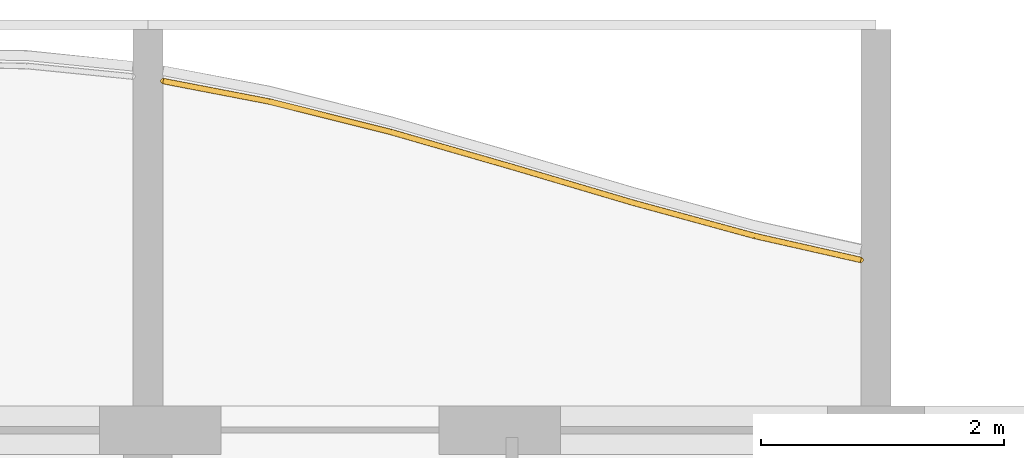
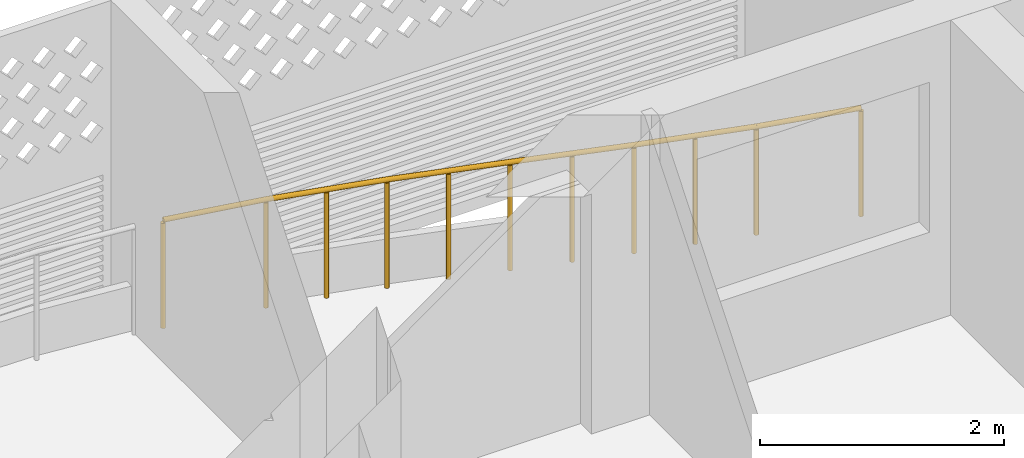
# One storey, part 38 of 39: 1 railing.
"""IFC4 building model written with IfcOpenShell, lengths in metres."""

from ifc_helpers import new_model, si_unit, direction, frame, origin, origin_2d, place, context, subcontext, project, spatial, circle, extrude, material, type_object, element, save


model = new_model("IFC4")

# Units and contexts
model_context = context("Model", 3, precision=1e-05, world=origin(), true_north=direction((0.0, 1.0)))
body_context = subcontext(model_context, "Body", "Model", "MODEL_VIEW")
ifc_project = project(units=[si_unit("LENGTHUNIT", "METRE"), si_unit("AREAUNIT", "SQUARE_METRE"), si_unit("VOLUMEUNIT", "CUBIC_METRE"), si_unit("PLANEANGLEUNIT", "RADIAN"), si_unit("MASSUNIT", "GRAM", prefix="KILO")], contexts=[model_context])

# Site, building, storey
site_placement = place(None, origin())
site = spatial("IfcSite", under=ifc_project, at=site_placement, CompositionType="ELEMENT")
building_placement = place(site_placement, origin())
building = spatial("IfcBuilding", under=site, at=building_placement, Name="Poui Terraces", CompositionType="ELEMENT")
storey_placement = place(building_placement, frame((0.0, 0.0, 63.0)))
storey = spatial("IfcBuildingStorey", under=building, at=storey_placement, Name="L17", CompositionType="ELEMENT", Elevation=63.0)

# Railing
ifc_material = material(Name="Painted steel fretwork", Category="steel")
railing_type = type_object("IfcRailingType", Name="BALCONY GUARD 1100", PredefinedType="GUARDRAIL", material=ifc_material)
railing_placement = place(storey_placement, frame((78.125, 47.6767578125, 0.0)))
element("IfcRailing", 1, at=railing_placement, inside=storey, type_object=railing_type, Name="BALCONY GUARD", PredefinedType="GUARDRAIL", context=body_context, shape_type="SweptSolid", body=[
    extrude(circle(Radius=0.02392578125, at=origin_2d()), frame((0.0, 0.0, 1.076171875), z_axis=(0.981967340867, -0.189050632031, 0.0), x_axis=(0.189050632031, 0.981967340867, 0.0)), (0.0, 0.0, 1.0), 0.89111328125),
    extrude(circle(Radius=0.02392578125, at=origin_2d()), frame((0.875, -0.16845703125, 1.076171875), z_axis=(0.969975109493, -0.243204208362, 0.0), x_axis=(0.243204208362, 0.969975109493, 0.0)), (0.0, 0.0, 1.0), 1.031005859375),
    extrude(circle(Radius=0.02392578125, at=origin_2d()), frame((1.875, -0.419189453125, 1.076171875), z_axis=(0.960919647927, -0.276827437635, 0.0), x_axis=(0.276827437635, 0.960919647927, 0.0)), (0.0, 0.0, 1.0), 1.040771484375),
    extrude(circle(Radius=0.02392578125, at=origin_2d()), frame((2.875, -0.707275390625, 1.076171875), z_axis=(0.958901964879, -0.283737593123, 0.0), x_axis=(0.283737593123, 0.958901964879, 0.0)), (0.0, 0.0, 1.0), 1.04296875),
    extrude(circle(Radius=0.02392578125, at=origin_2d()), frame((3.875, -1.003173828125, 1.076171875), z_axis=(0.964709448785, -0.263316690367, 0.0), x_axis=(0.263316690367, 0.964709448785, 0.0)), (0.0, 0.0, 1.0), 1.03662109375),
    extrude(circle(Radius=0.02392578125, at=origin_2d()), frame((4.875, -1.276123046875, 1.076171875), z_axis=(0.975340938218, -0.220703543777, 0.0), x_axis=(0.220703543777, 0.975340938218, 0.0)), (0.0, 0.0, 1.0), 0.897216796875),
    extrude(circle(Radius=0.02099609375, at=origin_2d()), origin(), (0.0, 0.0, 1.0), 1.052001953125),
    extrude(circle(Radius=0.02099609375, at=origin_2d()), frame((0.875, -0.16845703125, 0.0)), (0.0, 0.0, 1.0), 1.052001953125),
    extrude(circle(Radius=0.02099609375, at=origin_2d()), frame((1.375, -0.2939453125, 0.0)), (0.0, 0.0, 1.0), 1.052001953125),
    extrude(circle(Radius=0.02099609375, at=origin_2d()), frame((1.875, -0.419189453125, 0.0)), (0.0, 0.0, 1.0), 1.052001953125),
    extrude(circle(Radius=0.02099609375, at=origin_2d()), frame((2.375, -0.563232421875, 0.0)), (0.0, 0.0, 1.0), 1.052001953125),
    extrude(circle(Radius=0.02099609375, at=origin_2d()), frame((2.875, -0.707275390625, 0.0)), (0.0, 0.0, 1.0), 1.052001953125),
    extrude(circle(Radius=0.02099609375, at=origin_2d()), frame((3.375, -0.855224609375, 0.0)), (0.0, 0.0, 1.0), 1.052001953125),
    extrude(circle(Radius=0.02099609375, at=origin_2d()), frame((3.875, -1.003173828125, 0.0)), (0.0, 0.0, 1.0), 1.052001953125),
    extrude(circle(Radius=0.02099609375, at=origin_2d()), frame((4.375, -1.1396484375, 0.0)), (0.0, 0.0, 1.0), 1.052001953125),
    extrude(circle(Radius=0.02099609375, at=origin_2d()), frame((4.875, -1.276123046875, 0.0)), (0.0, 0.0, 1.0), 1.052001953125),
    extrude(circle(Radius=0.02099609375, at=origin_2d()), frame((5.75, -1.47412109375, 0.0)), (0.0, 0.0, 1.0), 1.052001953125),
])

save(model, "model.ifc")
